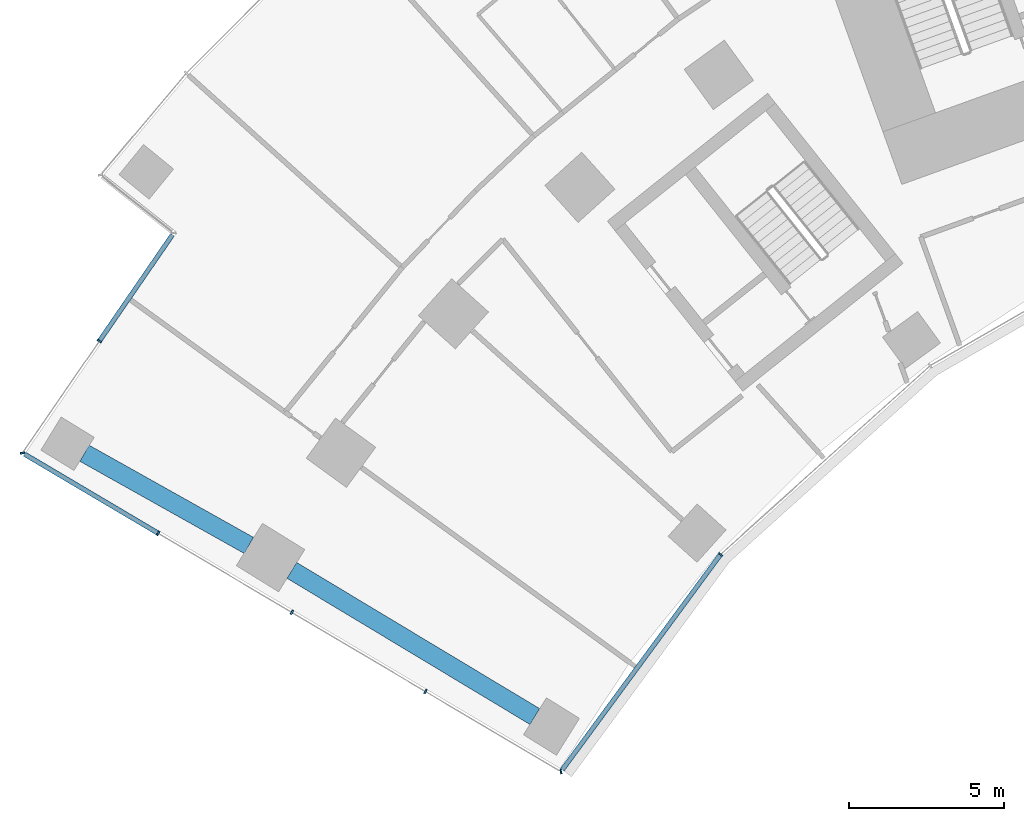
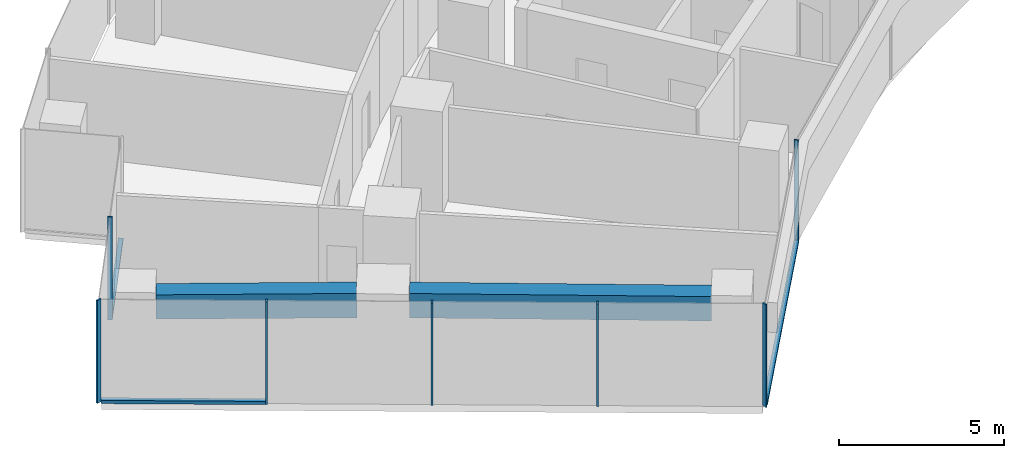
# One storey, part 2 of 21: 10 members, 2 beams, 3 elements without a shape of their own.
"""IFC4 building model written with IfcOpenShell, lengths in metres."""

from ifc_helpers import new_model, si_unit, direction, frame, origin, origin_2d, place, context, subcontext, project, spatial, rectangle, extrude, material, layer, layer_set, material_profile, profile_set, type_object, element, aggregate, save


model = new_model("IFC4")

# Units and contexts
model_context = context("Model", 3, precision=1e-05, world=origin(), true_north=direction((0.0, 1.0)))
body_context = subcontext(model_context, "Body", "Model", "MODEL_VIEW")
ifc_project = project(units=[si_unit("LENGTHUNIT", "METRE"), si_unit("AREAUNIT", "SQUARE_METRE"), si_unit("VOLUMEUNIT", "CUBIC_METRE"), si_unit("PLANEANGLEUNIT", "RADIAN"), si_unit("MASSUNIT", "GRAM", prefix="KILO")], contexts=[model_context])

# Site, building, storey
site_placement = place(None, origin())
site = spatial("IfcSite", under=ifc_project, at=site_placement, CompositionType="ELEMENT")
building_placement = place(site_placement, origin())
building = spatial("IfcBuilding", under=site, at=building_placement, Name="Stone Belt Terrace Tower", CompositionType="ELEMENT")
storey_placement = place(building_placement, frame((0.0, 0.0, 56.60009765625)))
storey = spatial("IfcBuildingStorey", under=building, at=storey_placement, Name="L13", CompositionType="ELEMENT", Elevation=56.60009765625)

# Curtain wall, members
ifc_material_1 = material(Name="Aluminium 6063-T6 anodised frame", Category="aluminium")
ifc_layer_1 = layer(ifc_material_1, 0.14990234375)
ifc_layer_set_1 = layer_set([ifc_layer_1], Name="CW-B unitised concave-face curtain wall")
curtain_wall_type_1 = type_object("IfcCurtainWallType", Name="CW-B unitised concave-face curtain wall", PredefinedType="NOTDEFINED", material=ifc_layer_set_1)
curtain_wall_1_placement = place(storey_placement, origin())
curtain_wall_1 = element("IfcCurtainWall", 1, at=curtain_wall_1_placement, inside=storey, type_object=curtain_wall_type_1, Name="CW-B concave face L13", PredefinedType="NOTDEFINED")
ifc_material_profile_1 = material_profile(ifc_material_1, rectangle(XDim=0.14990234375, YDim=0.050048828125, at=origin_2d()), Name="Aluminium 6063-T6 50x150")
ifc_profile_set_1 = profile_set([ifc_material_profile_1], Name="Aluminium 6063-T6 anodised frame")
member_type_1 = type_object("IfcMemberType", Name="CW-B mullion 50 x 150", PredefinedType="MULLION", material=ifc_profile_set_1)
member_1_placement = place(storey_placement, frame((-37.4140625, 22.0576171875, 0.0), z_axis=(0.0, 0.0, 1.0), x_axis=(-0.199957039009, 0.979804665508, 0.0)))
member_1 = element("IfcMember", 2, at=member_1_placement, type_object=member_type_1, Name="CW-B mullion 1", PredefinedType="MULLION", context=body_context, shape_type="SweptSolid", body=[
    extrude(rectangle(XDim=0.14990234375, YDim=0.050048828125, at=origin_2d()), origin(), (0.0, 0.0, 1.0), 3.7998046875),
])
member_2_placement = place(storey_placement, frame((-32.27099609375, 29.056640625, 0.0), z_axis=(0.0, 0.0, 1.0), x_axis=(-0.741329775891, 0.671140941515, 0.0)))
member_2 = element("IfcMember", 3, at=member_2_placement, type_object=member_type_1, Name="CW-B mullion 2", PredefinedType="MULLION", context=body_context, shape_type="SweptSolid", body=[
    extrude(rectangle(XDim=0.14990234375, YDim=0.050048828125, at=origin_2d()), origin(), (0.0, 0.0, 1.0), 3.7998046875),
])
ifc_material_profile_2 = material_profile(ifc_material_1, rectangle(XDim=0.14990234375, YDim=0.1201171875, at=origin_2d()), Name="Aluminium 6063-T6 150x120")
ifc_profile_set_2 = profile_set([ifc_material_profile_2], Name="Aluminium 6063-T6 anodised frame")
member_type_2 = type_object("IfcMemberType", Name="CW-B transom 120 x 150", PredefinedType="USERDEFINED", material=ifc_profile_set_2)
member_3_placement = place(storey_placement, frame((-37.373291015625, 22.11328125, 0.059814453125), z_axis=(0.592180847905, 0.805805090189, 0.0), x_axis=(-0.805805090189, 0.592180847905, 0.0)))
member_3 = element("IfcMember", 4, at=member_3_placement, type_object=member_type_2, Name="CW-B transom 1.1", ObjectType="TRANSOM", PredefinedType="USERDEFINED", context=body_context, shape_type="SweptSolid", body=[
    extrude(rectangle(XDim=0.14990234375, YDim=0.1201171875, at=origin_2d()), origin(), (0.0, 0.0, 1.0), 8.583984375),
])
aggregate(curtain_wall_1, [member_1, member_2, member_3])

# Curtain wall, member
ifc_layer_2 = layer(ifc_material_1, 0.14990234375)
ifc_layer_set_2 = layer_set([ifc_layer_2], Name="CW-C stick curtain wall, horn ends and notches")
curtain_wall_type_2 = type_object("IfcCurtainWallType", Name="CW-C stick curtain wall, horn ends and notches", PredefinedType="NOTDEFINED", material=ifc_layer_set_2)
curtain_wall_2_placement = place(storey_placement, origin())
curtain_wall_2 = element("IfcCurtainWall", 5, at=curtain_wall_2_placement, inside=storey, type_object=curtain_wall_type_2, Name="CW-C notch face L13", PredefinedType="NOTDEFINED")
ifc_material_profile_3 = material_profile(ifc_material_1, rectangle(XDim=0.14990234375, YDim=0.06005859375, at=origin_2d()), Name="Aluminium 6063-T6 60x150")
ifc_profile_set_3 = profile_set([ifc_material_profile_3], Name="Aluminium 6063-T6 anodised frame")
member_type_3 = type_object("IfcMemberType", Name="CW-C mullion 60 x 150", PredefinedType="MULLION", material=ifc_profile_set_3)
member_4_placement = place(storey_placement, frame((-52.275390625, 35.925048828125, 0.0), z_axis=(0.0, 0.0, 1.0), x_axis=(0.824146991357, -0.566375967567, 0.0)))
member_4 = element("IfcMember", 6, at=member_4_placement, type_object=member_type_3, Name="CW-C mullion 2", PredefinedType="MULLION", context=body_context, shape_type="SweptSolid", body=[
    extrude(rectangle(XDim=0.14990234375, YDim=0.06005859375, at=origin_2d()), origin(), (0.0, 0.0, 1.0), 3.7998046875),
])

# Curtain wall, members
curtain_wall_3_placement = place(storey_placement, origin())
curtain_wall_3 = element("IfcCurtainWall", 7, at=curtain_wall_3_placement, inside=storey, type_object=curtain_wall_type_2, Name="CW-C end face L13", PredefinedType="NOTDEFINED")
member_5_placement = place(storey_placement, frame((-54.752685546875, 32.3203125, 0.0), z_axis=(0.0, 0.0, 1.0), x_axis=(0.976519557331, 0.215428768157, 0.0)))
member_5 = element("IfcMember", 8, at=member_5_placement, type_object=member_type_3, Name="CW-C mullion 1", PredefinedType="MULLION", context=body_context, shape_type="SweptSolid", body=[
    extrude(rectangle(XDim=0.14990234375, YDim=0.06005859375, at=origin_2d()), origin(), (0.0, 0.0, 1.0), 3.7998046875),
])
member_6_placement = place(storey_placement, frame((-50.380859375, 29.732666015625, 0.0), z_axis=(0.0, 0.0, 1.0), x_axis=(0.509352918793, 0.860557728521, 0.0)))
member_6 = element("IfcMember", 9, at=member_6_placement, type_object=member_type_3, Name="CW-C mullion 2", PredefinedType="MULLION", context=body_context, shape_type="SweptSolid", body=[
    extrude(rectangle(XDim=0.14990234375, YDim=0.06005859375, at=origin_2d()), origin(), (0.0, 0.0, 1.0), 3.7998046875),
])
member_7_placement = place(storey_placement, frame((-46.078125, 27.185791015625, 0.0), z_axis=(0.0, 0.0, 1.0), x_axis=(0.509352918793, 0.860557728521, 0.0)))
member_7 = element("IfcMember", 10, at=member_7_placement, type_object=member_type_3, Name="CW-C mullion 3", PredefinedType="MULLION", context=body_context, shape_type="SweptSolid", body=[
    extrude(rectangle(XDim=0.14990234375, YDim=0.06005859375, at=origin_2d()), origin(), (0.0, 0.0, 1.0), 3.7998046875),
])
member_8_placement = place(storey_placement, frame((-41.775146484375, 24.63916015625, 0.0), z_axis=(0.0, 0.0, 1.0), x_axis=(0.509352918793, 0.860557728521, 0.0)))
member_8 = element("IfcMember", 11, at=member_8_placement, type_object=member_type_3, Name="CW-C mullion 4", PredefinedType="MULLION", context=body_context, shape_type="SweptSolid", body=[
    extrude(rectangle(XDim=0.14990234375, YDim=0.06005859375, at=origin_2d()), origin(), (0.0, 0.0, 1.0), 3.7998046875),
])

# Member
ifc_material_profile_4 = material_profile(ifc_material_1, rectangle(XDim=0.14990234375, YDim=0.1201171875, at=origin_2d()), Name="Aluminium 6063-T6 150x120")
ifc_profile_set_4 = profile_set([ifc_material_profile_4], Name="Aluminium 6063-T6 anodised frame")
member_type_4 = type_object("IfcMemberType", Name="CW-C transom 120 x 150", PredefinedType="USERDEFINED", material=ifc_profile_set_4)
member_9_placement = place(storey_placement, frame((-49.924560546875, 39.345703125, 0.059814453125), z_axis=(-0.566362850847, -0.824156005365, 0.0), x_axis=(0.824156005365, -0.566362850847, 0.0)))
member_9 = element("IfcMember", 12, at=member_9_placement, type_object=member_type_4, Name="CW-C transom 1.1", ObjectType="TRANSOM", PredefinedType="USERDEFINED", context=body_context, shape_type="SweptSolid", body=[
    extrude(rectangle(XDim=0.14990234375, YDim=0.1201171875, at=origin_2d()), origin(), (0.0, 0.0, 1.0), 4.12060546875),
])

aggregate(curtain_wall_2, [member_4, member_9])

member_10_placement = place(storey_placement, frame((-54.68798828125, 32.281982421875, 0.059814453125), z_axis=(0.860543319846, -0.509377261633, 0.0), x_axis=(0.509377261633, 0.860543319846, 0.0)))
member_10 = element("IfcMember", 13, at=member_10_placement, type_object=member_type_4, Name="CW-C transom 1.1", ObjectType="TRANSOM", PredefinedType="USERDEFINED", context=body_context, shape_type="SweptSolid", body=[
    extrude(rectangle(XDim=0.14990234375, YDim=0.1201171875, at=origin_2d()), origin(), (0.0, 0.0, 1.0), 4.97509765625),
])

aggregate(curtain_wall_3, [member_5, member_6, member_7, member_8, member_10])

# Beams
ifc_material_2 = material(Name="Concrete B60", Category="concrete")
ifc_material_profile_5 = material_profile(ifc_material_2, rectangle(XDim=0.60009765625, YDim=0.89990234375, at=origin_2d()), Name="RC 600x900")
ifc_profile_set_5 = profile_set([ifc_material_profile_5], Name="Concrete B60")
beam_type = type_object("IfcBeamType", Name="Edge beam RC 600x900 B60", PredefinedType="SPANDREL", material=ifc_profile_set_5)
beam_1_placement = place(storey_placement, frame((-38.253662109375, 23.83203125, 3.02978515625), z_axis=(-0.856900189152, 0.51548236229, 0.0), x_axis=(-0.51548236229, -0.856900189152, 0.0)))
element("IfcBeam", 14, at=beam_1_placement, inside=storey, type_object=beam_type, Name="Edge beam L13 A P to Q", PredefinedType="SPANDREL", context=body_context, shape_type="SweptSolid", body=[
    extrude(rectangle(XDim=0.60009765625, YDim=0.89990234375, at=origin_2d()), origin(), (0.0, 0.0, 1.0), 9.130859375),
])
beam_2_placement = place(storey_placement, frame((-47.4619140625, 29.3427734375, 3.02978515625), z_axis=(-0.872212947991, 0.489126336806, 0.0), x_axis=(-0.489126336806, -0.872212947991, 0.0)))
element("IfcBeam", 15, at=beam_2_placement, inside=storey, type_object=beam_type, Name="Edge beam L13 A Q to R", PredefinedType="SPANDREL", context=body_context, shape_type="SweptSolid", body=[
    extrude(rectangle(XDim=0.60009765625, YDim=0.89990234375, at=origin_2d()), origin(), (0.0, 0.0, 1.0), 6.069091796875),
])

save(model, "model.ifc")
